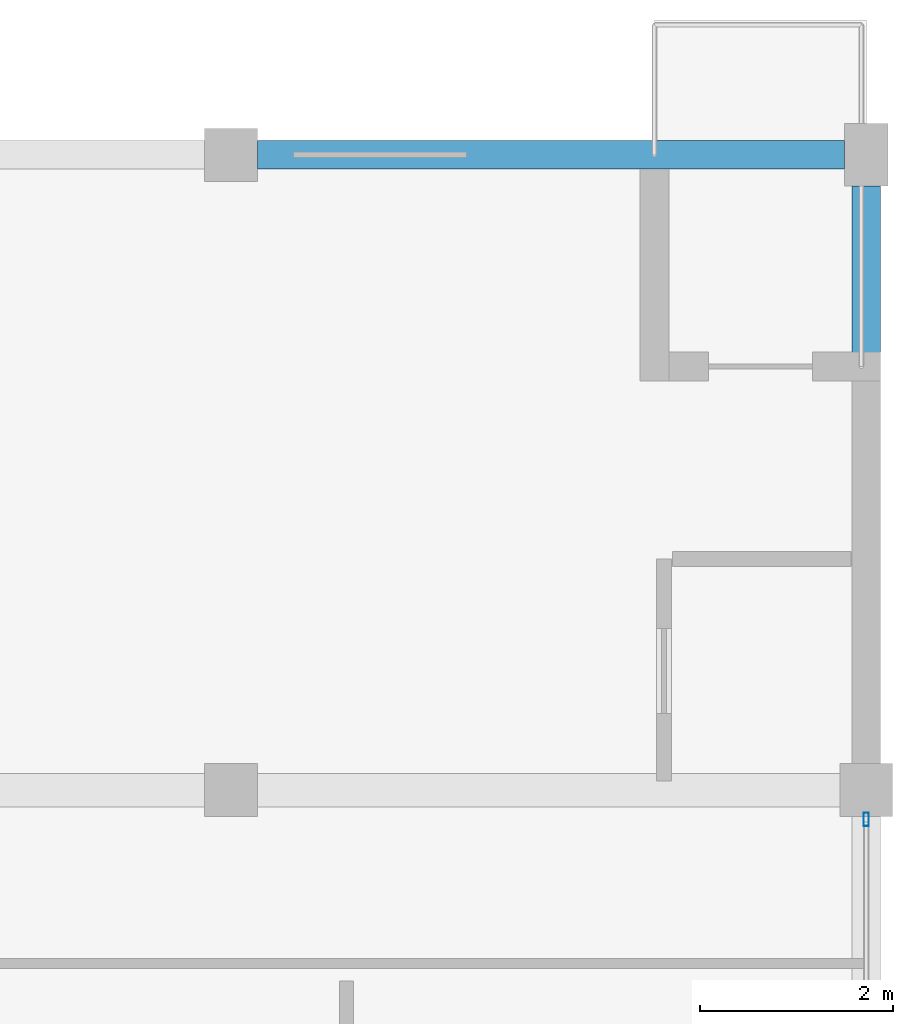
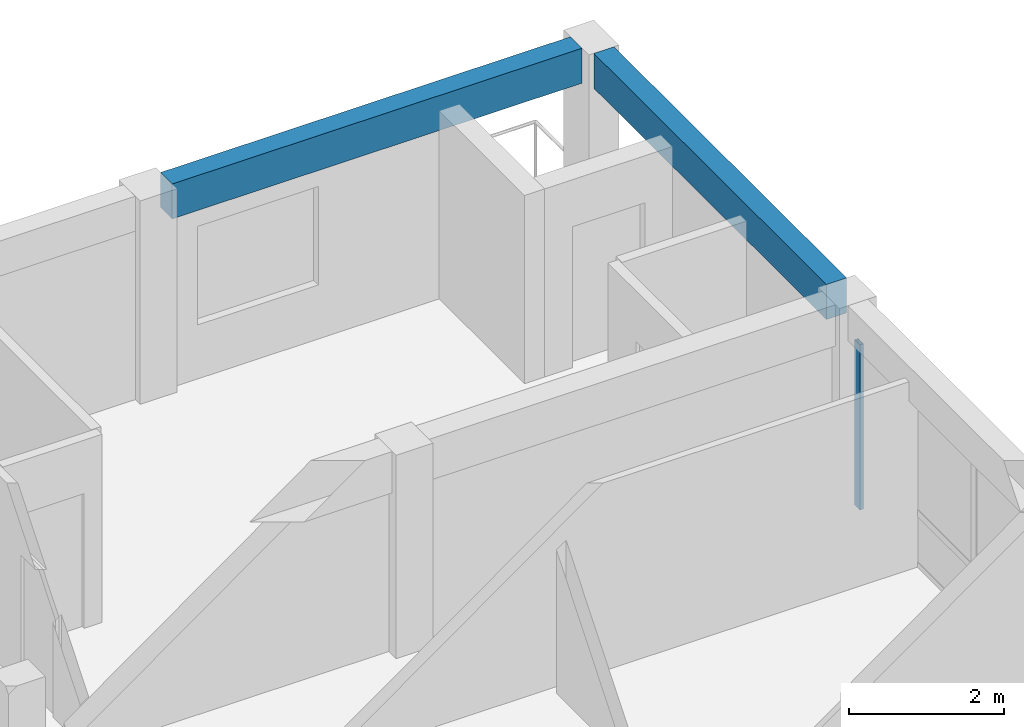
# One storey, part 23 of 51: 2 beams, 1 member, 1 element without a shape of its own.
"""IFC4 building model written with IfcOpenShell, lengths in metres."""

from ifc_helpers import new_model, si_unit, direction, frame, origin, origin_2d, place, context, subcontext, project, spatial, rectangle, hollow_rectangle, extrude, material, material_profile, profile_set, type_object, element, aggregate, save


model = new_model("IFC4")

# Units and contexts
model_context = context("Model", 3, precision=1e-05, world=origin(), true_north=direction((0.0, 1.0)))
body_context = subcontext(model_context, "Body", "Model", "MODEL_VIEW")
ifc_project = project(units=[si_unit("LENGTHUNIT", "METRE"), si_unit("AREAUNIT", "SQUARE_METRE"), si_unit("VOLUMEUNIT", "CUBIC_METRE"), si_unit("PLANEANGLEUNIT", "RADIAN"), si_unit("MASSUNIT", "GRAM", prefix="KILO")], contexts=[model_context])

# Site, building, storey
site_placement = place(None, origin())
site = spatial("IfcSite", under=ifc_project, at=site_placement, CompositionType="ELEMENT")
building_placement = place(site_placement, origin())
building = spatial("IfcBuilding", under=site, at=building_placement, Name="Kernevlak Ridge Housing Community", CompositionType="ELEMENT")
storey_placement = place(building_placement, frame((0.0, 0.0, 8.39990234375)))
storey = spatial("IfcBuildingStorey", under=building, at=storey_placement, Name="L02", CompositionType="ELEMENT", Elevation=8.39990234375)

# Curtain wall, member
ifc_material_1 = material(Name="Aluminium EN AW-6060 anodised and laminated glass", Category="aluminium")
curtain_wall_type = type_object("IfcCurtainWallType", Name="CW-14", PredefinedType="NOTDEFINED", material=ifc_material_1)
curtain_wall_placement = place(storey_placement, origin())
curtain_wall = element("IfcCurtainWall", 1, at=curtain_wall_placement, inside=storey, type_object=curtain_wall_type, Name="Curtain wall CW-14 CW-L02-063", PredefinedType="NOTDEFINED")
ifc_material_2 = material(Name="Aluminium EN AW-6060 anodised", Category="aluminium")
ifc_material_profile_1 = material_profile(ifc_material_2, hollow_rectangle(XDim=0.054931640625, YDim=0.139892578125, WallThickness=0.00390625, InnerFilletRadius=0.001953125, OuterFilletRadius=0.00390625, at=origin_2d()), Name="ALU 55x140x4")
ifc_profile_set_1 = profile_set([ifc_material_profile_1], Name="Aluminium EN AW-6060 anodised")
member_type = type_object("IfcMemberType", Name="MU-01", PredefinedType="MULLION", material=ifc_profile_set_1)
member_placement = place(storey_placement, frame((152.39990234375, 95.49755859375, 0.0), z_axis=(0.0, 0.0, 1.0), x_axis=(-1.0, 0.0, 0.0)))
member = element("IfcMember", 2, at=member_placement, type_object=member_type, Name="CW-14 mullion 3", PredefinedType="MULLION", context=body_context, shape_type="SweptSolid", body=[
    extrude(hollow_rectangle(XDim=0.054931640625, YDim=0.139892578125, WallThickness=0.00390625, InnerFilletRadius=0.001953125, OuterFilletRadius=0.00390625, at=origin_2d()), origin(), (0.0, 0.0, 1.0), 2.60009765625),
])
aggregate(curtain_wall, [member])

# Beams
ifc_material_3 = material(Name="Concrete C35/45", Category="concrete")
ifc_material_profile_2 = material_profile(ifc_material_3, rectangle(XDim=0.300048828125, YDim=0.550048828125, at=origin_2d()), Name="RC 300x550")
ifc_profile_set_2 = profile_set([ifc_material_profile_2], Name="Concrete C35/45")
beam_type = type_object("IfcBeamType", Name="SP-01", PredefinedType="SPANDREL", material=ifc_profile_set_2)
beam_1_placement = place(storey_placement, frame((146.074951171875, 102.39990234375, 2.925048828125), z_axis=(1.0, 0.0, 0.0), x_axis=(0.0, 1.0, 0.0)))
element("IfcBeam", 3, at=beam_1_placement, inside=storey, type_object=beam_type, Name="Beam SP-01 L02 648", PredefinedType="SPANDREL", context=body_context, shape_type="SweptSolid", body=[
    extrude(rectangle(XDim=0.300048828125, YDim=0.550048828125, at=origin_2d()), origin(), (0.0, 0.0, 1.0), 6.10009765625),
])
beam_2_placement = place(storey_placement, frame((152.39990234375, 96.074951171875, 2.925048828125), z_axis=(0.0, 1.0, 0.0), x_axis=(-1.0, 0.0, 0.0)))
element("IfcBeam", 4, at=beam_2_placement, inside=storey, type_object=beam_type, Name="Beam SP-01 L02 654", PredefinedType="SPANDREL", context=body_context, shape_type="SweptSolid", body=[
    extrude(rectangle(XDim=0.300048828125, YDim=0.550048828125, at=origin_2d()), origin(), (0.0, 0.0, 1.0), 6.0),
])

save(model, "model.ifc")
